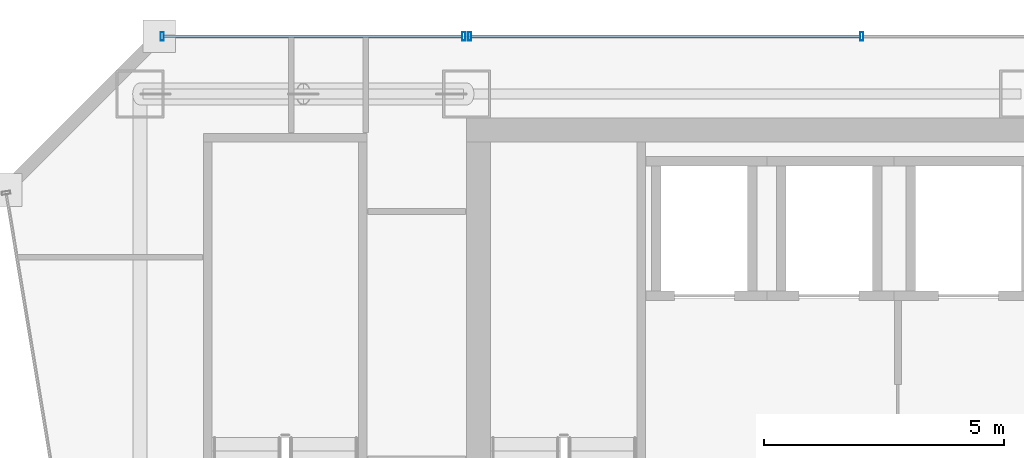
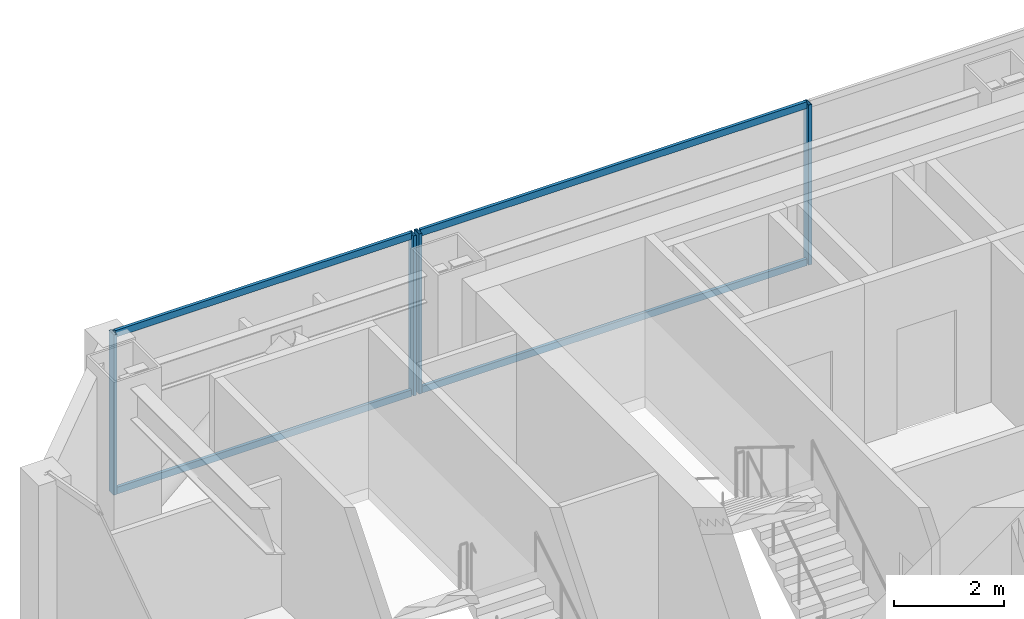
# One storey, part 26 of 40: 8 members, 2 elements without a shape of their own.
"""IFC4 building model written with IfcOpenShell, lengths in metres."""

from ifc_helpers import new_model, si_unit, direction, frame, origin, origin_2d, place, context, subcontext, project, spatial, hollow_rectangle, extrude, material, material_profile, profile_set, type_object, element, aggregate, save


model = new_model("IFC4")

# Units and contexts
model_context = context("Model", 3, precision=1e-05, world=origin(), true_north=direction((0.0, 1.0)))
body_context = subcontext(model_context, "Body", "Model", "MODEL_VIEW")
ifc_project = project(units=[si_unit("LENGTHUNIT", "METRE"), si_unit("AREAUNIT", "SQUARE_METRE"), si_unit("VOLUMEUNIT", "CUBIC_METRE"), si_unit("PLANEANGLEUNIT", "RADIAN"), si_unit("MASSUNIT", "GRAM", prefix="KILO")], contexts=[model_context])

# Site, building, storey
site_placement = place(None, origin())
site = spatial("IfcSite", under=ifc_project, at=site_placement, CompositionType="ELEMENT")
building_placement = place(site_placement, origin())
building = spatial("IfcBuilding", under=site, at=building_placement, Name="Saevonmaru Cultural Tower", CompositionType="ELEMENT")
storey_placement = place(building_placement, frame((0.0, 0.0, 129.60009765625)))
storey = spatial("IfcBuildingStorey", under=building, at=storey_placement, Name="L27", CompositionType="ELEMENT", Elevation=129.60009765625)

# Curtain wall, members
ifc_material = material(Name="Satin Bronze Anodised Aluminium", Category="aluminium")
curtain_wall_type = type_object("IfcCurtainWallType", Name="CW-SKY-GLZ", PredefinedType="NOTDEFINED", material=ifc_material)
curtain_wall_1_placement = place(storey_placement, origin())
curtain_wall_1 = element("IfcCurtainWall", 1, at=curtain_wall_1_placement, inside=storey, type_object=curtain_wall_type, Name="L27 North Spine Unitised Curtain Wall E10B", PredefinedType="NOTDEFINED")
ifc_material_profile_1 = material_profile(ifc_material, hollow_rectangle(XDim=0.06494140625, YDim=0.179931640625, WallThickness=0.00390625, at=origin_2d()), Name="ALU-MULL-180x65x4")
ifc_profile_set_1 = profile_set([ifc_material_profile_1], Name="Satin Bronze Anodised Aluminium")
member_type_1 = type_object("IfcMemberType", Name="ML-CW-180x65", PredefinedType="MULLION", material=ifc_profile_set_1)
member_1_placement = place(storey_placement, frame((21.830078125, 56.0, 0.0), z_axis=(0.0, 0.0, 1.0), x_axis=(-1.0, 0.0, 0.0)))
member_1 = element("IfcMember", 2, at=member_1_placement, type_object=member_type_1, Name="CW-TW-L27-E10B mullion 4", PredefinedType="MULLION", context=body_context, shape_type="SweptSolid", body=[
    extrude(hollow_rectangle(XDim=0.06494140625, YDim=0.179931640625, WallThickness=0.00390625, at=origin_2d()), origin(), (0.0, 0.0, 1.0), 3.5498046875),
])
member_2_placement = place(storey_placement, frame((13.659912109375, 56.0, 0.0), z_axis=(0.0, 0.0, 1.0), x_axis=(-1.0, 0.0, 0.0)))
member_2 = element("IfcMember", 3, at=member_2_placement, type_object=member_type_1, Name="CW-TW-L27-E10B mullion 5", PredefinedType="MULLION", context=body_context, shape_type="SweptSolid", body=[
    extrude(hollow_rectangle(XDim=0.06494140625, YDim=0.179931640625, WallThickness=0.00390625, at=origin_2d()), origin(), (0.0, 0.0, 1.0), 3.5498046875),
])

curtain_wall_2_placement = place(storey_placement, origin())
curtain_wall_2 = element("IfcCurtainWall", 4, at=curtain_wall_2_placement, inside=storey, type_object=curtain_wall_type, Name="L27 West Braced Bay Spandrel Curtain Wall E10C", PredefinedType="NOTDEFINED")
member_3_placement = place(storey_placement, frame((13.5400390625, 56.0, 0.0), z_axis=(0.0, 0.0, 1.0), x_axis=(-1.0, 0.0, 0.0)))
member_3 = element("IfcMember", 5, at=member_3_placement, type_object=member_type_1, Name="CW-TW-L27-E10C mullion 1", PredefinedType="MULLION", context=body_context, shape_type="SweptSolid", body=[
    extrude(hollow_rectangle(XDim=0.06494140625, YDim=0.179931640625, WallThickness=0.00390625, at=origin_2d()), origin(), (0.0, 0.0, 1.0), 3.5498046875),
])
member_4_placement = place(storey_placement, frame((7.260009765625, 56.0, 0.0), z_axis=(0.0, 0.0, 1.0), x_axis=(-1.0, 0.0, 0.0)))
member_4 = element("IfcMember", 6, at=member_4_placement, type_object=member_type_1, Name="CW-TW-L27-E10C mullion 2", PredefinedType="MULLION", context=body_context, shape_type="SweptSolid", body=[
    extrude(hollow_rectangle(XDim=0.06494140625, YDim=0.179931640625, WallThickness=0.00390625, at=origin_2d()), origin(), (0.0, 0.0, 1.0), 3.5498046875),
])

# Member
ifc_material_profile_2 = material_profile(ifc_material, hollow_rectangle(XDim=0.06494140625, YDim=0.14990234375, WallThickness=0.00390625, at=origin_2d()), Name="ALU-TRAN-150x65x4")
ifc_profile_set_2 = profile_set([ifc_material_profile_2], Name="Satin Bronze Anodised Aluminium")
member_type_2 = type_object("IfcMemberType", Name="TR-CW-150x65", PredefinedType="USERDEFINED", material=ifc_profile_set_2)
member_5_placement = place(storey_placement, frame((21.797607421875, 56.0, 0.032470703125), z_axis=(-1.0, 0.0, 0.0), x_axis=(0.0, -1.0, 0.0)))
member_5 = element("IfcMember", 7, at=member_5_placement, type_object=member_type_2, Name="CW-TW-L27-E10B transom 4.1", ObjectType="TRANSOM", PredefinedType="USERDEFINED", context=body_context, shape_type="SweptSolid", body=[
    extrude(hollow_rectangle(XDim=0.06494140625, YDim=0.14990234375, WallThickness=0.00390625, at=origin_2d()), origin(), (0.0, 0.0, 1.0), 8.105224609375),
])

member_6_placement = place(storey_placement, frame((21.797607421875, 56.0, 3.517333984375), z_axis=(-1.0, 0.0, 0.0), x_axis=(0.0, -1.0, 0.0)))
member_6 = element("IfcMember", 8, at=member_6_placement, type_object=member_type_2, Name="CW-TW-L27-E10B transom 4.2", ObjectType="TRANSOM", PredefinedType="USERDEFINED", context=body_context, shape_type="SweptSolid", body=[
    extrude(hollow_rectangle(XDim=0.06494140625, YDim=0.14990234375, WallThickness=0.00390625, at=origin_2d()), origin(), (0.0, 0.0, 1.0), 8.105224609375),
])

aggregate(curtain_wall_1, [member_1, member_2, member_5, member_6])

member_7_placement = place(storey_placement, frame((13.507568359375, 56.0, 0.032470703125), z_axis=(-1.0, 0.0, 0.0), x_axis=(0.0, -1.0, 0.0)))
member_7 = element("IfcMember", 9, at=member_7_placement, type_object=member_type_2, Name="CW-TW-L27-E10C transom 1.1", ObjectType="TRANSOM", PredefinedType="USERDEFINED", context=body_context, shape_type="SweptSolid", body=[
    extrude(hollow_rectangle(XDim=0.06494140625, YDim=0.14990234375, WallThickness=0.00390625, at=origin_2d()), origin(), (0.0, 0.0, 1.0), 6.215087890625),
])

member_8_placement = place(storey_placement, frame((13.507568359375, 56.0, 3.517333984375), z_axis=(-1.0, 0.0, 0.0), x_axis=(0.0, -1.0, 0.0)))
member_8 = element("IfcMember", 10, at=member_8_placement, type_object=member_type_2, Name="CW-TW-L27-E10C transom 1.2", ObjectType="TRANSOM", PredefinedType="USERDEFINED", context=body_context, shape_type="SweptSolid", body=[
    extrude(hollow_rectangle(XDim=0.06494140625, YDim=0.14990234375, WallThickness=0.00390625, at=origin_2d()), origin(), (0.0, 0.0, 1.0), 6.215087890625),
])

aggregate(curtain_wall_2, [member_3, member_4, member_7, member_8])

save(model, "model.ifc")
